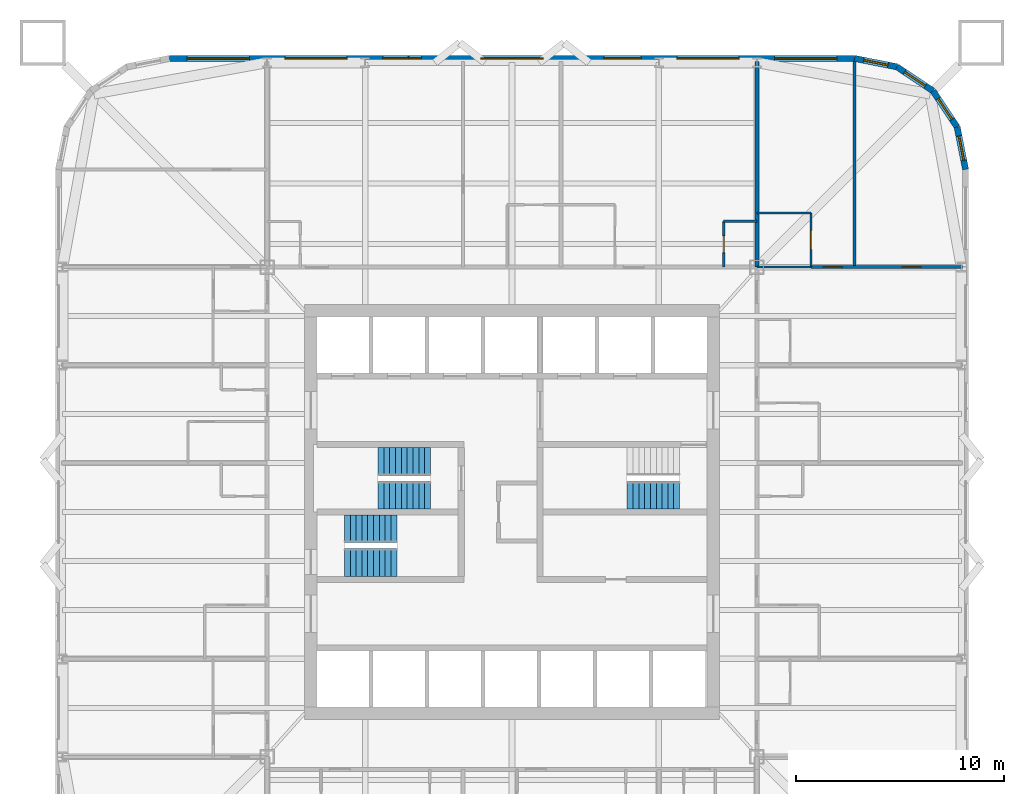
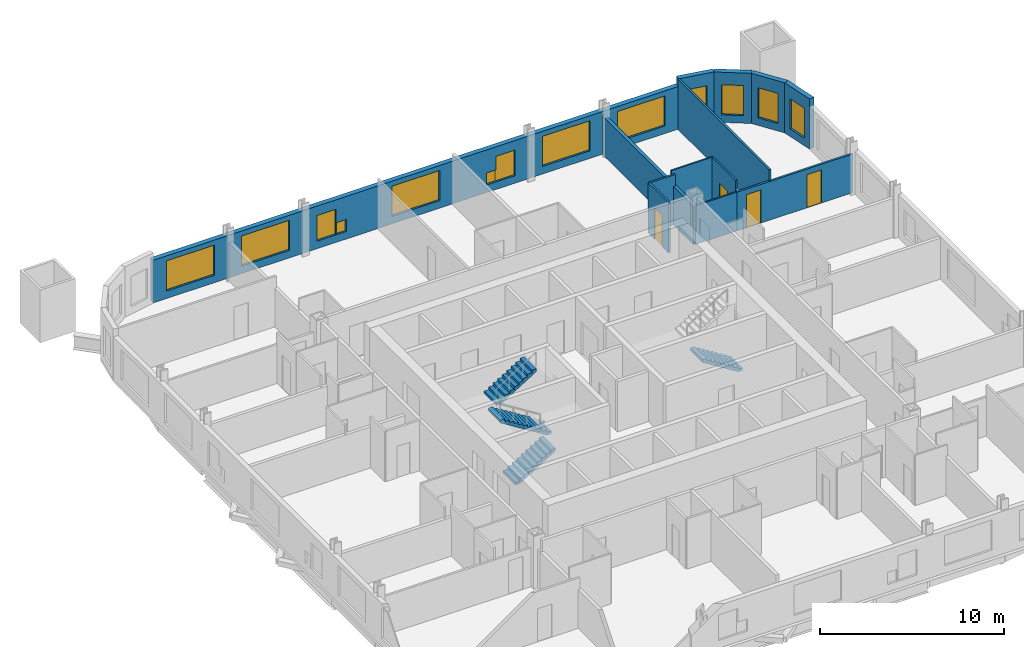
# One storey, part 8 of 10: 13 walls, 13 windows, 5 stair flights, 4 doors, 17 openings, 3 elements without a shape of their own.
"""IFC4 building model written with IfcOpenShell, lengths in metres."""

from ifc_helpers import new_model, si_unit, direction, frame, frame_2d, origin, place, context, subcontext, project, spatial, polyline, rectangle, outline, extrude, material, layer, layer_set, type_object, element, fill, aggregate, save


model = new_model("IFC4")

# Units and contexts
model_context = context("Model", 3, precision=1e-05, world=origin(), true_north=direction((0.0, 1.0)))
body_context = subcontext(model_context, "Body", "Model", "MODEL_VIEW")
ifc_project = project(units=[si_unit("LENGTHUNIT", "METRE"), si_unit("AREAUNIT", "SQUARE_METRE"), si_unit("VOLUMEUNIT", "CUBIC_METRE"), si_unit("PLANEANGLEUNIT", "RADIAN"), si_unit("MASSUNIT", "GRAM", prefix="KILO")], contexts=[model_context])

# Site, building, storey
site_placement = place(None, origin())
site = spatial("IfcSite", under=ifc_project, at=site_placement, CompositionType="ELEMENT")
building_placement = place(site_placement, origin())
building = spatial("IfcBuilding", under=site, at=building_placement, Name="Turquesa Mirador Hotel Tower", CompositionType="ELEMENT")
storey_placement = place(building_placement, frame((0.0, 0.0, 60.0)))
storey = spatial("IfcBuildingStorey", under=building, at=storey_placement, Name="L15", CompositionType="ELEMENT", Elevation=60.0)

# Walls
ifc_material_1 = material(Name="Gypsum board on steel studs", Category="steel")
ifc_layer_1 = layer(ifc_material_1, 0.10009765625)
ifc_layer_set_1 = layer_set([ifc_layer_1], Name="BATHROOM WALL 100")
wall_type_1 = type_object("IfcWallType", Name="BATHROOM WALL 100", PredefinedType="PARTITIONING", material=ifc_layer_set_1)
wall_1_placement = place(storey_placement, frame((66.800048828125, 56.800048828125, 0.0), z_axis=(0.0, 0.0, 1.0), x_axis=(1.0, 0.0, 0.0)))
element("IfcWall", 1, at=wall_1_placement, inside=storey, type_object=wall_type_1, Name="Partition L15 021", PredefinedType="PARTITIONING", context=body_context, shape_type="SweptSolid", body=[
    extrude(rectangle(XDim=2.599853515625, YDim=0.10009765625, at=frame_2d((1.2998046875, 0.0))), origin(), (0.0, 0.0, 1.0), 2.572998046875),
])
wall_2_placement = place(storey_placement, frame((66.800048828125, 59.39990234375, 0.0), z_axis=(0.0, 0.0, 1.0), x_axis=(1.0, 0.0, 0.0)))
element("IfcWall", 2, at=wall_2_placement, inside=storey, type_object=wall_type_1, Name="Partition L15 027", PredefinedType="PARTITIONING", context=body_context, shape_type="SweptSolid", body=[
    extrude(rectangle(XDim=2.599853515625, YDim=0.10009765625, at=frame_2d((1.2998046875, 0.0))), origin(), (0.0, 0.0, 1.0), 3.330078125),
])

# Wall, opening, door
wall_3_placement = place(storey_placement, frame((69.39990234375, 56.800048828125, 0.0), z_axis=(0.0, 0.0, 1.0), x_axis=(0.0, 1.0, 0.0)))
wall_3 = element("IfcWall", 3, at=wall_3_placement, inside=storey, type_object=wall_type_1, Name="Partition L15 065", PredefinedType="PARTITIONING", context=body_context, shape_type="SweptSolid", body=[
    extrude(rectangle(XDim=2.599853515625, YDim=0.10009765625, at=frame_2d((1.2998046875, 0.0))), origin(), (0.0, 0.0, 1.0), 3.330078125),
])
opening_1_placement = place(wall_3_placement, frame((0.85009765625, 0.0, 0.0)))
opening_1 = element("IfcOpeningElement", 4, at=opening_1_placement, cuts=wall_3, Name="Opening D02", PredefinedType="OPENING", context=body_context, shape_type="SweptSolid", body=[
    extrude(rectangle(XDim=0.89990234375, YDim=2.10009765625, at=frame_2d((0.449951171875, 1.050048828125))), frame((0.0, 0.06005859375, 0.0), z_axis=(0.0, -1.0, 0.0), x_axis=(1.0, 0.0, 0.0)), (0.0, 0.0, 1.0), 0.1201171875),
])
ifc_material_2 = material(Name="Timber veneered door", Category="wood")
door_type_1 = type_object("IfcDoorType", Name="DOOR 900X2100 EN-SUITE", OperationType="SINGLE_SWING_RIGHT", PredefinedType="DOOR", material=ifc_material_2)
door_1_placement = place(opening_1_placement, origin())
door_1 = element("IfcDoor", 5, at=door_1_placement, inside=storey, type_object=door_type_1, Name="Door 1510B", OperationType="SINGLE_SWING_RIGHT", OverallHeight=2.10009765625, OverallWidth=0.89990234375, PredefinedType="DOOR", context=body_context, shape_type="SweptSolid", body=[
    extrude(rectangle(XDim=0.89990234375, YDim=2.10009765625, at=frame_2d((0.449951171875, 1.050048828125))), frame((0.0, 0.02490234375, 0.0), z_axis=(0.0, -1.0, 0.0), x_axis=(1.0, 0.0, 0.0)), (0.0, 0.0, 1.0), 0.050048828125),
])
fill(opening_1, door_1)

# Wall, opening, window
ifc_material_3 = material(Name="Limestone cladding on concrete block", Category="masonry")
ifc_layer_2 = layer(ifc_material_3, 0.300048828125)
ifc_layer_set_2 = layer_set([ifc_layer_2], Name="FACADE WALL 300 STONE SCREEN")
wall_type_2 = type_object("IfcWallType", Name="FACADE WALL 300 STONE SCREEN", PredefinedType="SOLIDWALL", material=ifc_layer_set_2)
wall_4_placement = place(storey_placement, frame((76.85009765625, 61.5, 0.0), z_axis=(0.0, 0.0, 1.0), x_axis=(-0.195081421501, 0.980787050784, 0.0)))
wall_4 = element("IfcWall", 6, at=wall_4_placement, inside=storey, type_object=wall_type_2, Name="Facade wall L15 05", PredefinedType="SOLIDWALL", context=body_context, shape_type="SweptSolid", body=[
    extrude(rectangle(XDim=2.08740234375, YDim=0.300048828125, at=frame_2d((1.043701171875, 0.0))), origin(), (0.0, 0.0, 1.0), 3.330078125),
])
opening_2_placement = place(wall_4_placement, frame((0.443603515625, 0.0, 0.5)))
opening_2 = element("IfcOpeningElement", 7, at=opening_2_placement, cuts=wall_4, Name="Opening WN4", PredefinedType="OPENING", context=body_context, shape_type="SweptSolid", body=[
    extrude(rectangle(XDim=1.199951171875, YDim=2.0, at=frame_2d((0.60009765625, 1.0))), frame((0.0, 0.159912109375, 0.0), z_axis=(0.0, -1.0, 0.0), x_axis=(1.0, 0.0, 0.0)), (0.0, 0.0, 1.0), 0.320068359375),
])
ifc_material_4 = material(Name="Ceramic-fritted laminated glass", Category="glass")
window_type_1 = type_object("IfcWindowType", Name="FRITTED CORNER WINDOW 1200X2000", PartitioningType="DOUBLE_PANEL_HORIZONTAL", PredefinedType="WINDOW", material=ifc_material_4)
window_1_placement = place(opening_2_placement, origin())
window_1 = element("IfcWindow", 8, at=window_1_placement, inside=storey, type_object=window_type_1, Name="Window L15", OverallHeight=2.0, OverallWidth=1.199951171875, PartitioningType="SINGLE_PANEL", PredefinedType="WINDOW", context=body_context, shape_type="SweptSolid", body=[
    extrude(rectangle(XDim=1.199951171875, YDim=2.0, at=frame_2d((0.60009765625, 1.0))), frame((0.0, 0.030029296875, 0.0), z_axis=(0.0, -1.0, 0.0), x_axis=(1.0, 0.0, 0.0)), (0.0, 0.0, 1.0), 0.06005859375),
])
fill(opening_2, window_1)

wall_5_placement = place(storey_placement, frame((76.44287109375, 63.54736328125, 0.0), z_axis=(0.0, 0.0, 1.0), x_axis=(-0.555644460423, 0.831420010345, 0.0)))
wall_5 = element("IfcWall", 9, at=wall_5_placement, inside=storey, type_object=wall_type_2, Name="Facade wall L15 06", PredefinedType="SOLIDWALL", context=body_context, shape_type="SweptSolid", body=[
    extrude(rectangle(XDim=2.08740234375, YDim=0.300048828125, at=frame_2d((1.043701171875, 0.0))), origin(), (0.0, 0.0, 1.0), 3.330078125),
])
opening_3_placement = place(wall_5_placement, frame((0.443603515625, 0.0, 0.5)))
opening_3 = element("IfcOpeningElement", 10, at=opening_3_placement, cuts=wall_5, Name="Opening WN4", PredefinedType="OPENING", context=body_context, shape_type="SweptSolid", body=[
    extrude(rectangle(XDim=1.199951171875, YDim=2.0, at=frame_2d((0.60009765625, 1.0))), frame((0.0, 0.159912109375, 0.0), z_axis=(0.0, -1.0, 0.0), x_axis=(1.0, 0.0, 0.0)), (0.0, 0.0, 1.0), 0.320068359375),
])
window_2_placement = place(opening_3_placement, origin())
window_2 = element("IfcWindow", 11, at=window_2_placement, inside=storey, type_object=window_type_1, Name="Window L15", OverallHeight=2.0, OverallWidth=1.199951171875, PartitioningType="SINGLE_PANEL", PredefinedType="WINDOW", context=body_context, shape_type="SweptSolid", body=[
    extrude(rectangle(XDim=1.199951171875, YDim=2.0, at=frame_2d((0.60009765625, 1.0))), frame((0.0, 0.030029296875, 0.0), z_axis=(0.0, -1.0, 0.0), x_axis=(1.0, 0.0, 0.0)), (0.0, 0.0, 1.0), 0.06005859375),
])
fill(opening_3, window_2)

wall_6_placement = place(storey_placement, frame((75.282958984375, 65.282958984375, 0.0), z_axis=(0.0, 0.0, 1.0), x_axis=(-0.831420010345, 0.555644460423, 0.0)))
wall_6 = element("IfcWall", 12, at=wall_6_placement, inside=storey, type_object=wall_type_2, Name="Facade wall L15 07", PredefinedType="SOLIDWALL", context=body_context, shape_type="SweptSolid", body=[
    extrude(rectangle(XDim=2.08740234375, YDim=0.300048828125, at=frame_2d((1.043701171875, 0.0))), origin(), (0.0, 0.0, 1.0), 3.330078125),
])
opening_4_placement = place(wall_6_placement, frame((0.443603515625, 0.0, 0.5)))
opening_4 = element("IfcOpeningElement", 13, at=opening_4_placement, cuts=wall_6, Name="Opening WN4", PredefinedType="OPENING", context=body_context, shape_type="SweptSolid", body=[
    extrude(rectangle(XDim=1.199951171875, YDim=2.0, at=frame_2d((0.60009765625, 1.0))), frame((0.0, 0.159912109375, 0.0), z_axis=(0.0, -1.0, 0.0), x_axis=(1.0, 0.0, 0.0)), (0.0, 0.0, 1.0), 0.320068359375),
])
window_3_placement = place(opening_4_placement, origin())
window_3 = element("IfcWindow", 14, at=window_3_placement, inside=storey, type_object=window_type_1, Name="Window L15", OverallHeight=2.0, OverallWidth=1.199951171875, PartitioningType="SINGLE_PANEL", PredefinedType="WINDOW", context=body_context, shape_type="SweptSolid", body=[
    extrude(rectangle(XDim=1.199951171875, YDim=2.0, at=frame_2d((0.60009765625, 1.0))), frame((0.0, 0.030029296875, 0.0), z_axis=(0.0, -1.0, 0.0), x_axis=(1.0, 0.0, 0.0)), (0.0, 0.0, 1.0), 0.06005859375),
])
fill(opening_4, window_3)

wall_7_placement = place(storey_placement, frame((73.54736328125, 66.44287109375, 0.0), z_axis=(0.0, 0.0, 1.0), x_axis=(-0.980787050784, 0.195081421501, 0.0)))
wall_7 = element("IfcWall", 15, at=wall_7_placement, inside=storey, type_object=wall_type_2, Name="Facade wall L15 08", PredefinedType="SOLIDWALL", context=body_context, shape_type="SweptSolid", body=[
    extrude(rectangle(XDim=2.08740234375, YDim=0.300048828125, at=frame_2d((1.043701171875, 0.0))), origin(), (0.0, 0.0, 1.0), 3.330078125),
])
opening_5_placement = place(wall_7_placement, frame((0.443603515625, 0.0, 0.5)))
opening_5 = element("IfcOpeningElement", 16, at=opening_5_placement, cuts=wall_7, Name="Opening WN4", PredefinedType="OPENING", context=body_context, shape_type="SweptSolid", body=[
    extrude(rectangle(XDim=1.199951171875, YDim=2.0, at=frame_2d((0.60009765625, 1.0))), frame((0.0, 0.159912109375, 0.0), z_axis=(0.0, -1.0, 0.0), x_axis=(1.0, 0.0, 0.0)), (0.0, 0.0, 1.0), 0.320068359375),
])
window_4_placement = place(opening_5_placement, origin())
window_4 = element("IfcWindow", 17, at=window_4_placement, inside=storey, type_object=window_type_1, Name="Window L15", OverallHeight=2.0, OverallWidth=1.199951171875, PartitioningType="SINGLE_PANEL", PredefinedType="WINDOW", context=body_context, shape_type="SweptSolid", body=[
    extrude(rectangle(XDim=1.199951171875, YDim=2.0, at=frame_2d((0.60009765625, 1.0))), frame((0.0, 0.030029296875, 0.0), z_axis=(0.0, -1.0, 0.0), x_axis=(1.0, 0.0, 0.0)), (0.0, 0.0, 1.0), 0.06005859375),
])
fill(opening_5, window_4)

# Wall, openings, windows
wall_8_placement = place(storey_placement, frame((71.5, 66.85009765625, 0.0), z_axis=(0.0, 0.0, 1.0), x_axis=(-1.0, 0.0, 0.0)))
wall_8 = element("IfcWall", 18, at=wall_8_placement, inside=storey, type_object=wall_type_2, Name="Facade wall L15 09", PredefinedType="SOLIDWALL", context=body_context, shape_type="SweptSolid", body=[
    extrude(rectangle(XDim=33.0, YDim=0.300048828125, at=frame_2d((16.5, 0.0))), origin(), (0.0, 0.0, 1.0), 2.830078125),
])
opening_6_placement = place(wall_8_placement, frame((0.85009765625, 0.0, 0.5)))
opening_6 = element("IfcOpeningElement", 19, at=opening_6_placement, cuts=wall_8, Name="Opening WN1", PredefinedType="OPENING", context=body_context, shape_type="SweptSolid", body=[
    extrude(rectangle(XDim=3.0, YDim=2.0, at=frame_2d((1.5, 1.0))), frame((0.0, 0.159912109375, 0.0), z_axis=(0.0, -1.0, 0.0), x_axis=(1.0, 0.0, 0.0)), (0.0, 0.0, 1.0), 0.320068359375),
])
opening_7_placement = place(wall_8_placement, frame((5.56005859375, 0.0, 0.5)))
opening_7 = element("IfcOpeningElement", 20, at=opening_7_placement, cuts=wall_8, Name="Opening WN1", PredefinedType="OPENING", context=body_context, shape_type="SweptSolid", body=[
    extrude(rectangle(XDim=3.0, YDim=2.0, at=frame_2d((1.5, 1.0))), frame((0.0, 0.159912109375, 0.0), z_axis=(0.0, -1.0, 0.0), x_axis=(1.0, 0.0, 0.0)), (0.0, 0.0, 1.0), 0.320068359375),
])
opening_8_placement = place(wall_8_placement, frame((10.280029296875, 0.0, 0.5)))
opening_8 = element("IfcOpeningElement", 21, at=opening_8_placement, cuts=wall_8, Name="Opening WN40", PredefinedType="OPENING", context=body_context, shape_type="SweptSolid", body=[
    extrude(rectangle(XDim=1.199951171875, YDim=1.699951171875, at=frame_2d((0.60009765625, 0.85009765625))), frame((0.0, 0.159912109375, 0.0), z_axis=(0.0, -1.0, 0.0), x_axis=(1.0, 0.0, 0.0)), (0.0, 0.0, 1.0), 0.320068359375),
])
opening_9_placement = place(wall_8_placement, frame((15.0, 0.0, 0.5)))
opening_9 = element("IfcOpeningElement", 22, at=opening_9_placement, cuts=wall_8, Name="Opening WN1", PredefinedType="OPENING", context=body_context, shape_type="SweptSolid", body=[
    extrude(rectangle(XDim=3.0, YDim=2.0, at=frame_2d((1.5, 1.0))), frame((0.0, 0.159912109375, 0.0), z_axis=(0.0, -1.0, 0.0), x_axis=(1.0, 0.0, 0.0)), (0.0, 0.0, 1.0), 0.320068359375),
])
opening_10_placement = place(wall_8_placement, frame((21.52001953125, 0.0, 0.5)))
opening_10 = element("IfcOpeningElement", 23, at=opening_10_placement, cuts=wall_8, Name="Opening WN40", PredefinedType="OPENING", context=body_context, shape_type="SweptSolid", body=[
    extrude(rectangle(XDim=1.199951171875, YDim=1.699951171875, at=frame_2d((0.60009765625, 0.85009765625))), frame((0.0, 0.159912109375, 0.0), z_axis=(0.0, -1.0, 0.0), x_axis=(1.0, 0.0, 0.0)), (0.0, 0.0, 1.0), 0.320068359375),
])
opening_11_placement = place(wall_8_placement, frame((24.43994140625, 0.0, 0.5)))
opening_11 = element("IfcOpeningElement", 24, at=opening_11_placement, cuts=wall_8, Name="Opening WN1", PredefinedType="OPENING", context=body_context, shape_type="SweptSolid", body=[
    extrude(rectangle(XDim=3.0, YDim=2.0, at=frame_2d((1.5, 1.0))), frame((0.0, 0.159912109375, 0.0), z_axis=(0.0, -1.0, 0.0), x_axis=(1.0, 0.0, 0.0)), (0.0, 0.0, 1.0), 0.320068359375),
])
opening_12_placement = place(wall_8_placement, frame((29.14990234375, 0.0, 0.5)))
opening_12 = element("IfcOpeningElement", 25, at=opening_12_placement, cuts=wall_8, Name="Opening WN1", PredefinedType="OPENING", context=body_context, shape_type="SweptSolid", body=[
    extrude(rectangle(XDim=3.0, YDim=2.0, at=frame_2d((1.5, 1.0))), frame((0.0, 0.159912109375, 0.0), z_axis=(0.0, -1.0, 0.0), x_axis=(1.0, 0.0, 0.0)), (0.0, 0.0, 1.0), 0.320068359375),
])
opening_13_placement = place(wall_8_placement, frame((11.47998046875, 0.0, 0.5)))
opening_13 = element("IfcOpeningElement", 26, at=opening_13_placement, cuts=wall_8, Name="Opening WN28", PredefinedType="OPENING", context=body_context, shape_type="SweptSolid", body=[
    extrude(rectangle(XDim=0.60009765625, YDim=0.800048828125, at=frame_2d((0.300048828125, 0.39990234375))), frame((0.0, 0.159912109375, 0.0), z_axis=(0.0, -1.0, 0.0), x_axis=(1.0, 0.0, 0.0)), (0.0, 0.0, 1.0), 0.320068359375),
])
opening_14_placement = place(wall_8_placement, frame((20.8701171875, 0.0, 0.5)))
opening_14 = element("IfcOpeningElement", 27, at=opening_14_placement, cuts=wall_8, Name="Opening WN28", PredefinedType="OPENING", context=body_context, shape_type="SweptSolid", body=[
    extrude(rectangle(XDim=0.60009765625, YDim=0.800048828125, at=frame_2d((0.300048828125, 0.39990234375))), frame((0.0, 0.159912109375, 0.0), z_axis=(0.0, -1.0, 0.0), x_axis=(1.0, 0.0, 0.0)), (0.0, 0.0, 1.0), 0.320068359375),
])
ifc_material_5 = material(Name="Ceramic-fritted laminated glass", Category="glass")
window_type_2 = type_object("IfcWindowType", Name="FRITTED WINDOW 1200X1700", PartitioningType="DOUBLE_PANEL_HORIZONTAL", PredefinedType="WINDOW", material=ifc_material_5)
window_5_placement = place(opening_8_placement, origin())
window_5 = element("IfcWindow", 28, at=window_5_placement, inside=storey, type_object=window_type_2, Name="Window L15", OverallHeight=1.699951171875, OverallWidth=1.199951171875, PartitioningType="SINGLE_PANEL", PredefinedType="WINDOW", context=body_context, shape_type="SweptSolid", body=[
    extrude(rectangle(XDim=1.199951171875, YDim=1.699951171875, at=frame_2d((0.60009765625, 0.85009765625))), frame((0.0, 0.030029296875, 0.0), z_axis=(0.0, -1.0, 0.0), x_axis=(1.0, 0.0, 0.0)), (0.0, 0.0, 1.0), 0.06005859375),
])
fill(opening_8, window_5)
window_6_placement = place(opening_10_placement, origin())
window_6 = element("IfcWindow", 29, at=window_6_placement, inside=storey, type_object=window_type_2, Name="Window L15", OverallHeight=1.699951171875, OverallWidth=1.199951171875, PartitioningType="SINGLE_PANEL", PredefinedType="WINDOW", context=body_context, shape_type="SweptSolid", body=[
    extrude(rectangle(XDim=1.199951171875, YDim=1.699951171875, at=frame_2d((0.60009765625, 0.85009765625))), frame((0.0, 0.030029296875, 0.0), z_axis=(0.0, -1.0, 0.0), x_axis=(1.0, 0.0, 0.0)), (0.0, 0.0, 1.0), 0.06005859375),
])
fill(opening_10, window_6)
ifc_material_6 = material(Name="Ceramic-fritted laminated glass", Category="glass")
window_type_3 = type_object("IfcWindowType", Name="FRITTED WINDOW 3000X2000", PartitioningType="DOUBLE_PANEL_HORIZONTAL", PredefinedType="WINDOW", material=ifc_material_6)
window_7_placement = place(opening_6_placement, origin())
window_7 = element("IfcWindow", 30, at=window_7_placement, inside=storey, type_object=window_type_3, Name="Window L15", OverallHeight=2.0, OverallWidth=3.0, PartitioningType="SINGLE_PANEL", PredefinedType="WINDOW", context=body_context, shape_type="SweptSolid", body=[
    extrude(rectangle(XDim=3.0, YDim=2.0, at=frame_2d((1.5, 1.0))), frame((0.0, 0.030029296875, 0.0), z_axis=(0.0, -1.0, 0.0), x_axis=(1.0, 0.0, 0.0)), (0.0, 0.0, 1.0), 0.06005859375),
])
fill(opening_6, window_7)
window_8_placement = place(opening_7_placement, origin())
window_8 = element("IfcWindow", 31, at=window_8_placement, inside=storey, type_object=window_type_3, Name="Window L15", OverallHeight=2.0, OverallWidth=3.0, PartitioningType="SINGLE_PANEL", PredefinedType="WINDOW", context=body_context, shape_type="SweptSolid", body=[
    extrude(rectangle(XDim=3.0, YDim=2.0, at=frame_2d((1.5, 1.0))), frame((0.0, 0.030029296875, 0.0), z_axis=(0.0, -1.0, 0.0), x_axis=(1.0, 0.0, 0.0)), (0.0, 0.0, 1.0), 0.06005859375),
])
fill(opening_7, window_8)
window_9_placement = place(opening_9_placement, origin())
window_9 = element("IfcWindow", 32, at=window_9_placement, inside=storey, type_object=window_type_3, Name="Window L15", OverallHeight=2.0, OverallWidth=3.0, PartitioningType="SINGLE_PANEL", PredefinedType="WINDOW", context=body_context, shape_type="SweptSolid", body=[
    extrude(rectangle(XDim=3.0, YDim=2.0, at=frame_2d((1.5, 1.0))), frame((0.0, 0.030029296875, 0.0), z_axis=(0.0, -1.0, 0.0), x_axis=(1.0, 0.0, 0.0)), (0.0, 0.0, 1.0), 0.06005859375),
])
fill(opening_9, window_9)
window_10_placement = place(opening_11_placement, origin())
window_10 = element("IfcWindow", 33, at=window_10_placement, inside=storey, type_object=window_type_3, Name="Window L15", OverallHeight=2.0, OverallWidth=3.0, PartitioningType="SINGLE_PANEL", PredefinedType="WINDOW", context=body_context, shape_type="SweptSolid", body=[
    extrude(rectangle(XDim=3.0, YDim=2.0, at=frame_2d((1.5, 1.0))), frame((0.0, 0.030029296875, 0.0), z_axis=(0.0, -1.0, 0.0), x_axis=(1.0, 0.0, 0.0)), (0.0, 0.0, 1.0), 0.06005859375),
])
fill(opening_11, window_10)
window_11_placement = place(opening_12_placement, origin())
window_11 = element("IfcWindow", 34, at=window_11_placement, inside=storey, type_object=window_type_3, Name="Window L15", OverallHeight=2.0, OverallWidth=3.0, PartitioningType="SINGLE_PANEL", PredefinedType="WINDOW", context=body_context, shape_type="SweptSolid", body=[
    extrude(rectangle(XDim=3.0, YDim=2.0, at=frame_2d((1.5, 1.0))), frame((0.0, 0.030029296875, 0.0), z_axis=(0.0, -1.0, 0.0), x_axis=(1.0, 0.0, 0.0)), (0.0, 0.0, 1.0), 0.06005859375),
])
fill(opening_12, window_11)
ifc_material_7 = material(Name="Ceramic-fritted laminated glass", Category="glass")
window_type_4 = type_object("IfcWindowType", Name="FRITTED WINDOW 600X800", PartitioningType="DOUBLE_PANEL_HORIZONTAL", PredefinedType="WINDOW", material=ifc_material_7)
window_12_placement = place(opening_13_placement, origin())
window_12 = element("IfcWindow", 35, at=window_12_placement, inside=storey, type_object=window_type_4, Name="Window L15", OverallHeight=0.800048828125, OverallWidth=0.60009765625, PartitioningType="SINGLE_PANEL", PredefinedType="WINDOW", context=body_context, shape_type="SweptSolid", body=[
    extrude(rectangle(XDim=0.60009765625, YDim=0.800048828125, at=frame_2d((0.300048828125, 0.39990234375))), frame((0.0, 0.030029296875, 0.0), z_axis=(0.0, -1.0, 0.0), x_axis=(1.0, 0.0, 0.0)), (0.0, 0.0, 1.0), 0.06005859375),
])
fill(opening_13, window_12)
window_13_placement = place(opening_14_placement, origin())
window_13 = element("IfcWindow", 36, at=window_13_placement, inside=storey, type_object=window_type_4, Name="Window L15", OverallHeight=0.800048828125, OverallWidth=0.60009765625, PartitioningType="SINGLE_PANEL", PredefinedType="WINDOW", context=body_context, shape_type="SweptSolid", body=[
    extrude(rectangle(XDim=0.60009765625, YDim=0.800048828125, at=frame_2d((0.300048828125, 0.39990234375))), frame((0.0, 0.030029296875, 0.0), z_axis=(0.0, -1.0, 0.0), x_axis=(1.0, 0.0, 0.0)), (0.0, 0.0, 1.0), 0.06005859375),
])
fill(opening_14, window_13)

# Wall
ifc_material_8 = material(Name="Fire-rated gypsum board on steel studs", Category="steel")
ifc_layer_3 = layer(ifc_material_8, 0.199951171875)
ifc_layer_set_3 = layer_set([ifc_layer_3], Name="PARTY WALL 200")
wall_type_3 = type_object("IfcWallType", Name="PARTY WALL 200", PredefinedType="PARTITIONING", material=ifc_layer_set_3)
wall_9_placement = place(storey_placement, frame((66.800048828125, 56.800048828125, 0.0), z_axis=(0.0, 0.0, 1.0), x_axis=(0.0, 1.0, 0.0)))
element("IfcWall", 37, at=wall_9_placement, inside=storey, type_object=wall_type_3, Name="Partition L15 060", PredefinedType="PARTITIONING", context=body_context, shape_type="SweptSolid", body=[
    extrude(rectangle(XDim=9.89990234375, YDim=0.199951171875, at=frame_2d((4.949951171875, 0.0))), origin(), (0.0, 0.0, 1.0), 2.572998046875),
])

# Wall, openings, doors
ifc_material_9 = material(Name="Acoustic gypsum board on steel studs", Category="steel")
ifc_layer_4 = layer(ifc_material_9, 0.125)
ifc_layer_set_4 = layer_set([ifc_layer_4], Name="SUITE PARTITION 125")
wall_type_4 = type_object("IfcWallType", Name="SUITE PARTITION 125", PredefinedType="PARTITIONING", material=ifc_layer_set_4)
wall_10_placement = place(storey_placement, frame((69.39990234375, 56.800048828125, 0.0), z_axis=(0.0, 0.0, 1.0), x_axis=(1.0, 0.0, 0.0)))
wall_10 = element("IfcWall", 38, at=wall_10_placement, inside=storey, type_object=wall_type_4, Name="Partition L15 024", PredefinedType="PARTITIONING", context=body_context, shape_type="SweptSolid", body=[
    extrude(rectangle(XDim=7.300048828125, YDim=0.125, at=frame_2d((3.64990234375, 0.0))), origin(), (0.0, 0.0, 1.0), 2.572998046875),
])
opening_15_placement = place(wall_10_placement, frame((0.60009765625, 0.0, 0.0)))
opening_15 = element("IfcOpeningElement", 39, at=opening_15_placement, cuts=wall_10, Name="Opening D17", PredefinedType="OPENING", context=body_context, shape_type="SweptSolid", body=[
    extrude(rectangle(XDim=0.89990234375, YDim=2.199951171875, at=frame_2d((0.449951171875, 1.10009765625))), frame((0.0, 0.072509765625, 0.0), z_axis=(0.0, -1.0, 0.0), x_axis=(1.0, 0.0, 0.0)), (0.0, 0.0, 1.0), 0.14501953125),
])
opening_16_placement = place(wall_10_placement, frame((4.39990234375, 0.0, 0.0)))
opening_16 = element("IfcOpeningElement", 40, at=opening_16_placement, cuts=wall_10, Name="Opening D17", PredefinedType="OPENING", context=body_context, shape_type="SweptSolid", body=[
    extrude(rectangle(XDim=0.89990234375, YDim=2.199951171875, at=frame_2d((0.449951171875, 1.10009765625))), frame((0.0, 0.072509765625, 0.0), z_axis=(0.0, -1.0, 0.0), x_axis=(1.0, 0.0, 0.0)), (0.0, 0.0, 1.0), 0.14501953125),
])
ifc_material_10 = material(Name="Timber veneered door", Category="wood")
door_type_2 = type_object("IfcDoorType", Name="DOOR 900X2200 SUITE INTERNAL", OperationType="SINGLE_SWING_LEFT", PredefinedType="DOOR", material=ifc_material_10)
door_2_placement = place(opening_15_placement, origin())
door_2 = element("IfcDoor", 41, at=door_2_placement, inside=storey, type_object=door_type_2, Name="Door 1510R", OperationType="SINGLE_SWING_LEFT", OverallHeight=2.199951171875, OverallWidth=0.89990234375, PredefinedType="DOOR", context=body_context, shape_type="SweptSolid", body=[
    extrude(rectangle(XDim=0.89990234375, YDim=2.199951171875, at=frame_2d((0.449951171875, 1.10009765625))), frame((0.0, 0.02490234375, 0.0), z_axis=(0.0, -1.0, 0.0), x_axis=(1.0, 0.0, 0.0)), (0.0, 0.0, 1.0), 0.050048828125),
])
fill(opening_15, door_2)
door_3_placement = place(opening_16_placement, origin())
door_3 = element("IfcDoor", 42, at=door_3_placement, inside=storey, type_object=door_type_2, Name="Door 1510S", OperationType="SINGLE_SWING_LEFT", OverallHeight=2.199951171875, OverallWidth=0.89990234375, PredefinedType="DOOR", context=body_context, shape_type="SweptSolid", body=[
    extrude(rectangle(XDim=0.89990234375, YDim=2.199951171875, at=frame_2d((0.449951171875, 1.10009765625))), frame((0.0, 0.02490234375, 0.0), z_axis=(0.0, -1.0, 0.0), x_axis=(1.0, 0.0, 0.0)), (0.0, 0.0, 1.0), 0.050048828125),
])
fill(opening_16, door_3)

# Wall
wall_11_placement = place(storey_placement, frame((65.199951171875, 59.0, 0.0), z_axis=(0.0, 0.0, 1.0), x_axis=(1.0, 0.0, 0.0)))
element("IfcWall", 43, at=wall_11_placement, inside=storey, type_object=wall_type_4, Name="Partition L15 026", PredefinedType="PARTITIONING", context=body_context, shape_type="SweptSolid", body=[
    extrude(rectangle(XDim=1.60009765625, YDim=0.125, at=frame_2d((0.800048828125, 0.0))), origin(), (0.0, 0.0, 1.0), 3.330078125),
])

# Wall, opening, door
wall_12_placement = place(storey_placement, frame((65.199951171875, 56.800048828125, 0.0), z_axis=(0.0, 0.0, 1.0), x_axis=(0.0, 1.0, 0.0)))
wall_12 = element("IfcWall", 44, at=wall_12_placement, inside=storey, type_object=wall_type_4, Name="Partition L15 057", PredefinedType="PARTITIONING", context=body_context, shape_type="SweptSolid", body=[
    extrude(rectangle(XDim=2.199951171875, YDim=0.125, at=frame_2d((1.10009765625, 0.0))), origin(), (0.0, 0.0, 1.0), 3.330078125),
])
opening_17_placement = place(wall_12_placement, frame((0.699951171875, 0.0, 0.0)))
opening_17 = element("IfcOpeningElement", 45, at=opening_17_placement, cuts=wall_12, Name="Opening D20", PredefinedType="OPENING", context=body_context, shape_type="SweptSolid", body=[
    extrude(rectangle(XDim=0.800048828125, YDim=2.10009765625, at=frame_2d((0.39990234375, 1.050048828125))), frame((0.0, 0.072509765625, 0.0), z_axis=(0.0, -1.0, 0.0), x_axis=(1.0, 0.0, 0.0)), (0.0, 0.0, 1.0), 0.14501953125),
])
ifc_material_11 = material(Name="Timber veneered sliding door", Category="wood")
door_type_3 = type_object("IfcDoorType", Name="DOOR 800X2100 WARDROBE", OperationType="SLIDING_TO_LEFT", PredefinedType="DOOR", material=ifc_material_11)
door_4_placement = place(opening_17_placement, origin())
door_4 = element("IfcDoor", 46, at=door_4_placement, inside=storey, type_object=door_type_3, Name="Door 1502W", OperationType="SLIDING_TO_LEFT", OverallHeight=2.10009765625, OverallWidth=0.800048828125, PredefinedType="DOOR", context=body_context, shape_type="SweptSolid", body=[
    extrude(rectangle(XDim=0.800048828125, YDim=2.10009765625, at=frame_2d((0.39990234375, 1.050048828125))), frame((0.0, 0.02490234375, 0.0), z_axis=(0.0, -1.0, 0.0), x_axis=(1.0, 0.0, 0.0)), (0.0, 0.0, 1.0), 0.050048828125),
])
fill(opening_17, door_4)

# Wall
wall_13_placement = place(storey_placement, frame((71.5, 56.800048828125, 0.0), z_axis=(0.0, 0.0, 1.0), x_axis=(0.0, 1.0, 0.0)))
element("IfcWall", 47, at=wall_13_placement, inside=storey, type_object=wall_type_4, Name="Partition L15 069", PredefinedType="PARTITIONING", context=body_context, shape_type="SweptSolid", body=[
    extrude(rectangle(XDim=9.89404296875, YDim=0.125, at=frame_2d((4.947021484375, 0.0))), origin(), (0.0, 0.0, 1.0), 3.330078125),
])

# Stair, stair flights
ifc_material_12 = material(Name="Concrete C35/45", Category="concrete")
stair_type = type_object("IfcStairType", Name="ESCAPE STAIR CORE", PredefinedType="HALF_TURN_STAIR", material=ifc_material_12)
stair_1_placement = place(storey_placement, origin())
stair_1 = element("IfcStair", 48, at=stair_1_placement, inside=storey, type_object=stair_type, Name="Stair ST1 L15 to L16", PredefinedType="HALF_TURN_STAIR")
ifc_material_13 = material(Name="Concrete C35/45 precast flight", Category="concrete")
stair_flight_type = type_object("IfcStairFlightType", Name="STAIR FLIGHT 1330", PredefinedType="STRAIGHT", material=ifc_material_13)
stair_flight_1_placement = place(storey_placement, frame((51.070068359375, 45.81494140625, 0.0), z_axis=(0.0, 0.0, 1.0), x_axis=(-1.0, 0.0, 0.0)))
stair_flight_1 = element("IfcStairFlight", 49, at=stair_flight_1_placement, type_object=stair_flight_type, Name="ST1 flight 1", NumberOfRisers=10, NumberOfTreads=9, PredefinedType="STRAIGHT", RiserHeight=0.175, TreadLength=0.28, context=body_context, shape_type="SweptSolid", body=[
    extrude(outline(polyline([(0.0, 0.0), (0.0, 0.175048828125), (0.280029296875, 0.175048828125), (0.280029296875, 0.35009765625), (0.56005859375, 0.35009765625), (0.56005859375, 0.52490234375), (0.840087890625, 0.52490234375), (0.840087890625, 0.699951171875), (1.1201171875, 0.699951171875), (1.1201171875, 0.875), (1.39990234375, 0.875), (1.39990234375, 1.050048828125), (1.679931640625, 1.050048828125), (1.679931640625, 1.22509765625), (1.9599609375, 1.22509765625), (1.9599609375, 1.39990234375), (2.239990234375, 1.39990234375), (2.239990234375, 1.574951171875), (2.52001953125, 1.574951171875), (2.52001953125, 1.75), (2.52001953125, 1.398193359375), (0.28271484375, 0.0), (0.0, 0.0)])), frame((0.0, 0.6650390625, 0.0), z_axis=(0.0, -1.0, 0.0), x_axis=(1.0, 0.0, 0.0)), (0.0, 0.0, 1.0), 1.330078125),
])
stair_flight_2_placement = place(storey_placement, frame((48.550048828125, 47.43505859375, 1.75), z_axis=(0.0, 0.0, 1.0), x_axis=(1.0, 0.0, 0.0)))
stair_flight_2 = element("IfcStairFlight", 50, at=stair_flight_2_placement, type_object=stair_flight_type, Name="ST1 flight 2", NumberOfRisers=10, NumberOfTreads=9, PredefinedType="STRAIGHT", RiserHeight=0.175, TreadLength=0.28, context=body_context, shape_type="SweptSolid", body=[
    extrude(outline(polyline([(0.0, 0.0), (0.0, 0.175048828125), (0.280029296875, 0.175048828125), (0.280029296875, 0.35009765625), (0.56005859375, 0.35009765625), (0.56005859375, 0.52490234375), (0.840087890625, 0.52490234375), (0.840087890625, 0.699951171875), (1.1201171875, 0.699951171875), (1.1201171875, 0.875), (1.39990234375, 0.875), (1.39990234375, 1.050048828125), (1.679931640625, 1.050048828125), (1.679931640625, 1.22509765625), (1.9599609375, 1.22509765625), (1.9599609375, 1.39990234375), (2.239990234375, 1.39990234375), (2.239990234375, 1.574951171875), (2.52001953125, 1.574951171875), (2.52001953125, 1.75), (2.52001953125, 1.398193359375), (0.28271484375, 0.0), (0.0, 0.0)])), frame((0.0, 0.6650390625, 0.0), z_axis=(0.0, -1.0, 0.0), x_axis=(1.0, 0.0, 0.0)), (0.0, 0.0, 1.0), 1.330078125),
])
aggregate(stair_1, [stair_flight_1, stair_flight_2])

stair_2_placement = place(storey_placement, origin())
stair_2 = element("IfcStair", 51, at=stair_2_placement, inside=storey, type_object=stair_type, Name="Stair ST2 L15 to L16", PredefinedType="HALF_TURN_STAIR")
stair_flight_3_placement = place(storey_placement, frame((46.929931640625, 42.56494140625, 0.0), z_axis=(0.0, 0.0, 1.0), x_axis=(1.0, 0.0, 0.0)))
stair_flight_3 = element("IfcStairFlight", 52, at=stair_flight_3_placement, type_object=stair_flight_type, Name="ST2 flight 1", NumberOfRisers=10, NumberOfTreads=9, PredefinedType="STRAIGHT", RiserHeight=0.175, TreadLength=0.28, context=body_context, shape_type="SweptSolid", body=[
    extrude(outline(polyline([(0.0, 0.0), (0.0, 0.175048828125), (0.280029296875, 0.175048828125), (0.280029296875, 0.35009765625), (0.56005859375, 0.35009765625), (0.56005859375, 0.52490234375), (0.840087890625, 0.52490234375), (0.840087890625, 0.699951171875), (1.1201171875, 0.699951171875), (1.1201171875, 0.875), (1.39990234375, 0.875), (1.39990234375, 1.050048828125), (1.679931640625, 1.050048828125), (1.679931640625, 1.22509765625), (1.9599609375, 1.22509765625), (1.9599609375, 1.39990234375), (2.239990234375, 1.39990234375), (2.239990234375, 1.574951171875), (2.52001953125, 1.574951171875), (2.52001953125, 1.75), (2.52001953125, 1.398193359375), (0.28271484375, 0.0), (0.0, 0.0)])), frame((0.0, 0.6650390625, 0.0), z_axis=(0.0, -1.0, 0.0), x_axis=(1.0, 0.0, 0.0)), (0.0, 0.0, 1.0), 1.330078125),
])
stair_flight_4_placement = place(storey_placement, frame((49.449951171875, 44.18505859375, 1.75), z_axis=(0.0, 0.0, 1.0), x_axis=(-1.0, 0.0, 0.0)))
stair_flight_4 = element("IfcStairFlight", 53, at=stair_flight_4_placement, type_object=stair_flight_type, Name="ST2 flight 2", NumberOfRisers=10, NumberOfTreads=9, PredefinedType="STRAIGHT", RiserHeight=0.175, TreadLength=0.28, context=body_context, shape_type="SweptSolid", body=[
    extrude(outline(polyline([(0.0, 0.0), (0.0, 0.175048828125), (0.280029296875, 0.175048828125), (0.280029296875, 0.35009765625), (0.56005859375, 0.35009765625), (0.56005859375, 0.52490234375), (0.840087890625, 0.52490234375), (0.840087890625, 0.699951171875), (1.1201171875, 0.699951171875), (1.1201171875, 0.875), (1.39990234375, 0.875), (1.39990234375, 1.050048828125), (1.679931640625, 1.050048828125), (1.679931640625, 1.22509765625), (1.9599609375, 1.22509765625), (1.9599609375, 1.39990234375), (2.239990234375, 1.39990234375), (2.239990234375, 1.574951171875), (2.52001953125, 1.574951171875), (2.52001953125, 1.75), (2.52001953125, 1.398193359375), (0.28271484375, 0.0), (0.0, 0.0)])), frame((0.0, 0.6650390625, 0.0), z_axis=(0.0, -1.0, 0.0), x_axis=(1.0, 0.0, 0.0)), (0.0, 0.0, 1.0), 1.330078125),
])
aggregate(stair_2, [stair_flight_3, stair_flight_4])

# Stair, stair flight
stair_3_placement = place(storey_placement, origin())
stair_3 = element("IfcStair", 54, at=stair_3_placement, inside=storey, type_object=stair_type, Name="Stair ST3 L15 to L16", PredefinedType="HALF_TURN_STAIR")
stair_flight_5_placement = place(storey_placement, frame((63.070068359375, 45.81494140625, 0.0), z_axis=(0.0, 0.0, 1.0), x_axis=(-1.0, 0.0, 0.0)))
stair_flight_5 = element("IfcStairFlight", 55, at=stair_flight_5_placement, type_object=stair_flight_type, Name="ST3 flight 1", NumberOfRisers=10, NumberOfTreads=9, PredefinedType="STRAIGHT", RiserHeight=0.175, TreadLength=0.28, context=body_context, shape_type="SweptSolid", body=[
    extrude(outline(polyline([(0.0, 0.0), (0.0, 0.175048828125), (0.280029296875, 0.175048828125), (0.280029296875, 0.35009765625), (0.56005859375, 0.35009765625), (0.56005859375, 0.52490234375), (0.840087890625, 0.52490234375), (0.840087890625, 0.699951171875), (1.1201171875, 0.699951171875), (1.1201171875, 0.875), (1.39990234375, 0.875), (1.39990234375, 1.050048828125), (1.679931640625, 1.050048828125), (1.679931640625, 1.22509765625), (1.9599609375, 1.22509765625), (1.9599609375, 1.39990234375), (2.239990234375, 1.39990234375), (2.239990234375, 1.574951171875), (2.52001953125, 1.574951171875), (2.52001953125, 1.75), (2.52001953125, 1.398193359375), (0.28271484375, 0.0), (0.0, 0.0)])), frame((0.0, 0.6650390625, 0.0), z_axis=(0.0, -1.0, 0.0), x_axis=(1.0, 0.0, 0.0)), (0.0, 0.0, 1.0), 1.330078125),
])
aggregate(stair_3, [stair_flight_5])

save(model, "model.ifc")
